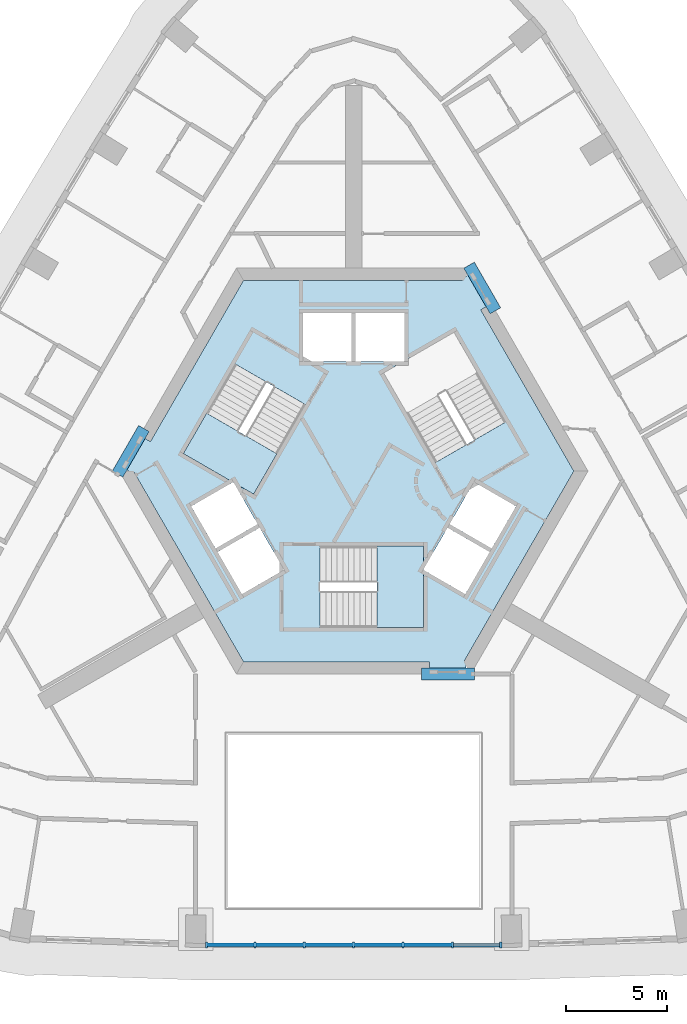
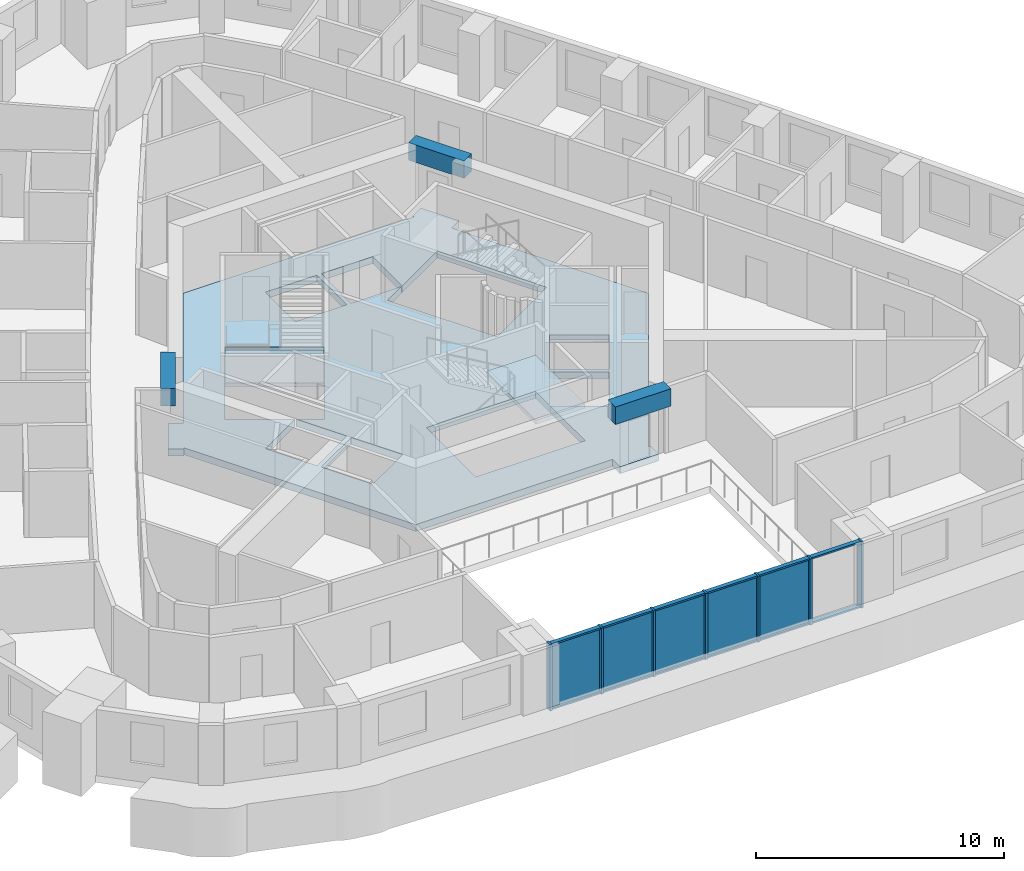
# One storey, part 2 of 13: 19 members, 5 plates, 3 beams, 3 slabs, 3 elements without a shape of their own.
"""IFC4 building model written with IfcOpenShell, lengths in metres."""

import ifcopenshell
import ifcopenshell.guid

model = None  # the IFC model being written
_history = None  # IfcOwnerHistory: only IFC2X3 demands one
_inside = {}  # id of a spatial element -> (the spatial element, [elements in it])
_under = {}  # id of a project, library or spatial element -> (it, [spatial elements below it])
_declared = {}  # id of a project -> (the project, [libraries it declares])
_typed = {}  # id of a type object -> (the type object, [elements of that type])
_made_of = {}  # id of a material, layer set ... -> (it, [elements and type objects made of it])


def new_model(schema):
    """Start an empty IFC model of exactly this schema.

    Asked for "IFC4X3", IfcOpenShell would pick the latest addendum, in which some entities
    have other attributes; the version numbers below select the first issue.
    IFC2X3 requires an IfcOwnerHistory on every rooted entity: one is made here for all.
    """
    global model, _history
    if schema == "IFC4X3":
        model = ifcopenshell.file(schema_version=(4, 3, 0, 0))
    else:
        model = ifcopenshell.file(schema=schema)
    _inside.clear()
    _under.clear()
    _declared.clear()
    _typed.clear()
    _made_of.clear()
    _history = None
    if model.schema == "IFC2X3":
        org = make("IfcOrganization", Name="unknown")
        user = make(
            "IfcPersonAndOrganization",
            ThePerson=make("IfcPerson", FamilyName="unknown"),
            TheOrganization=org,
        )
        app = make(
            "IfcApplication",
            ApplicationDeveloper=org,
            Version="unknown",
            ApplicationFullName="unknown",
            ApplicationIdentifier="unknown",
        )
        _history = make(
            "IfcOwnerHistory",
            OwningUser=user,
            OwningApplication=app,
            ChangeAction="ADDED",
            CreationDate=0,
        )
    return model


def make(cls, **values):
    """One entity of the class cls with the attributes given. An attribute that is None is left unset."""
    return model.create_entity(
        cls, **{name: value for name, value in values.items() if value is not None}
    )


def rooted(cls, **values):
    """An entity with a GlobalId (a new one), such as an element, a storey or a relation."""
    return make(cls, GlobalId=ifcopenshell.guid.new(), OwnerHistory=_history, **values)


def si_unit(unit_type, name, prefix=None):
    """IfcSIUnit, for example si_unit("LENGTHUNIT", "METRE", prefix="MILLI")."""
    return make("IfcSIUnit", UnitType=unit_type, Prefix=prefix, Name=name)


def assignment(units):
    """IfcUnitAssignment: the units of a project."""
    return None if units is None else make("IfcUnitAssignment", Units=units)


def point(xyz):
    """IfcCartesianPoint."""
    return None if xyz is None else make("IfcCartesianPoint", Coordinates=xyz)


def direction(xyz):
    """IfcDirection."""
    return None if xyz is None else make("IfcDirection", DirectionRatios=xyz)


def frame(location, z_axis=None, x_axis=None):
    """IfcAxis2Placement3D, a coordinate frame: its origin and axes. An axis left out is left unset."""
    return make(
        "IfcAxis2Placement3D",
        Location=point(location),
        Axis=direction(z_axis),
        RefDirection=direction(x_axis),
    )


def frame_2d(location, x_axis=None):
    """IfcAxis2Placement2D, a coordinate frame in the plane: its origin and x axis."""
    return make(
        "IfcAxis2Placement2D", Location=point(location), RefDirection=direction(x_axis)
    )


def origin():
    """The frame at (0, 0, 0) with its axes left unset."""
    return frame((0.0, 0.0, 0.0))


def origin_2d():
    """The frame at (0, 0) in the plane with its x axis left unset."""
    return frame_2d((0.0, 0.0))


def place(relative_to, where):
    """IfcLocalPlacement: puts the frame where relative to a parent placement (None: the world)."""
    return make(
        "IfcLocalPlacement", PlacementRelTo=relative_to, RelativePlacement=where
    )


def context(
    kind, dimensions, precision=None, world=None, true_north=None, identifier=None
):
    """IfcGeometricRepresentationContext, for example the 3D "Model" context."""
    return make(
        "IfcGeometricRepresentationContext",
        ContextIdentifier=identifier,
        ContextType=kind,
        CoordinateSpaceDimension=dimensions,
        Precision=precision,
        WorldCoordinateSystem=world,
        TrueNorth=true_north,
    )


def subcontext(parent, identifier, kind, view, scale=None):
    """IfcGeometricRepresentationSubContext, for example "Body" below "Model"."""
    return make(
        "IfcGeometricRepresentationSubContext",
        ContextIdentifier=identifier,
        ContextType=kind,
        ParentContext=parent,
        TargetScale=scale,
        TargetView=view,
    )


def project(units=None, contexts=None):
    """IfcProject with its units and contexts."""
    return rooted(
        "IfcProject",
        Name="project",
        RepresentationContexts=contexts,
        UnitsInContext=assignment(units),
    )


def spatial(cls, under=None, at=None, **own):
    """A site, building, storey or space (cls), placed at a placement, below another one or the project."""
    s = rooted(cls, ObjectPlacement=at, **own)
    if under is not None:
        _under.setdefault(under.id(), (under, []))[1].append(s)
    return s


def polyline(points):
    """IfcPolyline through the points."""
    return make("IfcPolyline", Points=[point(p) for p in points])


def profile(cls, at=None, kind="AREA", **sizes):
    """A parametric profile (cls). Its sizes go by their IFC names, for example OverallWidth=200.0."""
    return make(cls, ProfileType=kind, Position=at, **sizes)


def rectangle(**sizes):
    """IfcRectangleProfileDef."""
    return profile("IfcRectangleProfileDef", **sizes)


def outline(outer, holes=None, kind="AREA"):
    """IfcArbitraryClosedProfileDef: a profile drawn as a closed curve; with holes, ...WithVoids."""
    if holes is None:
        return make("IfcArbitraryClosedProfileDef", ProfileType=kind, OuterCurve=outer)
    return make(
        "IfcArbitraryProfileDefWithVoids",
        ProfileType=kind,
        OuterCurve=outer,
        InnerCurves=holes,
    )


def extrude(swept, where, along, depth):
    """IfcExtrudedAreaSolid: the profile swept, set in the frame where, extruded along a direction by depth."""
    return make(
        "IfcExtrudedAreaSolid",
        SweptArea=swept,
        Position=where,
        ExtrudedDirection=direction(along),
        Depth=depth,
    )


def shape(context_of_items, identifier, shape_type, items):
    """IfcShapeRepresentation: the items that make up one representation, for example the "Body"."""
    return make(
        "IfcShapeRepresentation",
        ContextOfItems=context_of_items,
        RepresentationIdentifier=identifier,
        RepresentationType=shape_type,
        Items=items,
    )


def material(Name=None, Category=None):
    """IfcMaterial."""
    return make("IfcMaterial", Name=Name, Category=Category)


def layer(
    of_material, thickness, ventilated=None, Name=None, Category=None, Priority=None
):
    """IfcMaterialLayer: one layer of a wall or slab, of a material (None: an air gap)."""
    return make(
        "IfcMaterialLayer",
        Material=of_material,
        LayerThickness=thickness,
        IsVentilated=ventilated,
        Name=Name,
        Category=Category,
        Priority=Priority,
    )


def layer_set(layers, Name=None):
    """IfcMaterialLayerSet."""
    return make("IfcMaterialLayerSet", MaterialLayers=layers, LayerSetName=Name)


def material_profile(
    of_material, cross_section, Name=None, Category=None, Priority=None
):
    """IfcMaterialProfile: a cross section and its material."""
    return make(
        "IfcMaterialProfile",
        Name=Name,
        Material=of_material,
        Profile=cross_section,
        Priority=Priority,
        Category=Category,
    )


def profile_set(profiles, Name=None, composite=None):
    """IfcMaterialProfileSet."""
    return make(
        "IfcMaterialProfileSet",
        Name=Name,
        MaterialProfiles=profiles,
        CompositeProfile=composite,
    )


def made_of(thing, what):
    """Note that an element or type object is made of a material, layer set ...; save() writes the relation."""
    if what is not None:
        _made_of.setdefault(what.id(), (what, []))[1].append(thing)
    return thing


def type_object(cls, material=None, **own):
    """A type object (cls), such as IfcWallType, which elements share."""
    return made_of(rooted(cls, **own), material)


def element(
    cls,
    number,
    at=None,
    inside=None,
    cuts=None,
    type_object=None,
    material=None,
    context=None,
    identifier="Body",
    shape_type=None,
    held_by="IfcProductDefinitionShape",
    body=None,
    shapes=None,
    **own,
):
    """One element of the class cls, such as IfcWall. Its Tag is "e" and its number.

    at: its placement. inside: the storey or other place that contains it. cuts: it is an
    opening in that element (IfcRelVoidsElement). A single representation is given by context,
    identifier, shape_type and body (its items); several are given by shapes. held_by: the class
    of the entity that holds the representations. save() writes the other relations.
    """
    e = rooted(cls, Tag="e%d" % number, ObjectPlacement=at, **own)
    if body is not None:
        shapes = [shape(context, identifier, shape_type, body)]
    if shapes is not None:
        e.Representation = make(held_by, Representations=shapes)
    if inside is not None:
        _inside.setdefault(inside.id(), (inside, []))[1].append(e)
    if cuts is not None:
        rooted(
            "IfcRelVoidsElement", RelatingBuildingElement=cuts, RelatedOpeningElement=e
        )
    if type_object is not None:
        _typed.setdefault(type_object.id(), (type_object, []))[1].append(e)
    return made_of(e, material)


def aggregate(whole, parts):
    """IfcRelAggregates: a whole, such as a stair, and the parts it consists of."""
    return rooted("IfcRelAggregates", RelatingObject=whole, RelatedObjects=parts)


def save(model, path):
    """Write the relations noted so far, then the file.

    IfcRelAggregates (storeys below a building ...), IfcRelContainedInSpatialStructure (elements
    in a storey), IfcRelDefinesByType, IfcRelAssociatesMaterial and IfcRelDeclares: one each for
    every whole, place, type object, material and project.
    """
    for whole, parts in _under.values():
        aggregate(whole, parts)
    for where, things in _inside.values():
        rooted(
            "IfcRelContainedInSpatialStructure",
            RelatedElements=things,
            RelatingStructure=where,
        )
    for kind, things in _typed.values():
        rooted("IfcRelDefinesByType", RelatedObjects=things, RelatingType=kind)
    for what, things in _made_of.values():
        rooted("IfcRelAssociatesMaterial", RelatedObjects=things, RelatingMaterial=what)
    for by, libraries in _declared.values():
        rooted("IfcRelDeclares", RelatingContext=by, RelatedDefinitions=libraries)
    model.write(path)


model = new_model("IFC4")

# Units and contexts
model_context = context("Model", 3, precision=1e-05, world=origin(), true_north=direction((0.0, 1.0)))
body_context = subcontext(model_context, "Body", "Model", "MODEL_VIEW")
ifc_project = project(units=[si_unit("LENGTHUNIT", "METRE"), si_unit("AREAUNIT", "SQUARE_METRE"), si_unit("VOLUMEUNIT", "CUBIC_METRE"), si_unit("PLANEANGLEUNIT", "RADIAN"), si_unit("MASSUNIT", "GRAM", prefix="KILO")], contexts=[model_context])

# Site, building, storey
site_placement = place(None, origin())
site = spatial("IfcSite", under=ifc_project, at=site_placement, CompositionType="ELEMENT")
building_placement = place(site_placement, origin())
building = spatial("IfcBuilding", under=site, at=building_placement, Name="Entoto Arch Interchange Tower", CompositionType="ELEMENT")
storey_placement = place(building_placement, frame((0.0, 0.0, 266.60009765625)))
storey = spatial("IfcBuildingStorey", under=building, at=storey_placement, Name="L61", CompositionType="ELEMENT", Elevation=266.60009765625)

# Beams
ifc_material_1 = material(Name="Concrete C40/50", Category="concrete")
ifc_material_profile_1 = material_profile(ifc_material_1, rectangle(XDim=0.60009765625, YDim=0.860107421875, at=origin_2d()))
ifc_profile_set_1 = profile_set([ifc_material_profile_1], Name="Concrete C40/50")
beam_type = type_object("IfcBeamType", Name="Coupling beam RC 600x860 C40/50", PredefinedType="BEAM", material=ifc_profile_set_1)
beam_1_placement = place(storey_placement, frame((6.986083984375, 10.40087890625, 2.829833984375), z_axis=(-0.500379508478, 0.865806183562, 0.0), x_axis=(-0.865806183562, -0.500379508478, 0.0)))
element("IfcBeam", 1, at=beam_1_placement, inside=storey, type_object=beam_type, Name="Coupling beam NE L61", PredefinedType="BEAM", context=body_context, shape_type="SweptSolid", body=[
    extrude(rectangle(XDim=0.60009765625, YDim=0.860107421875, at=origin_2d()), origin(), (0.0, 0.0, 1.0), 2.59423828125),
])
beam_2_placement = place(storey_placement, frame((-10.3359375, 4.59912109375, 2.829833984375), z_axis=(-0.499814819145, -0.866132291606, 0.0), x_axis=(0.866132291606, -0.499814819145, 0.0)))
element("IfcBeam", 2, at=beam_2_placement, inside=storey, type_object=beam_type, Name="Coupling beam NW L61", PredefinedType="BEAM", context=body_context, shape_type="SweptSolid", body=[
    extrude(rectangle(XDim=0.60009765625, YDim=0.860107421875, at=origin_2d()), origin(), (0.0, 0.0, 1.0), 2.59326171875),
])
beam_3_placement = place(storey_placement, frame((3.35009765625, -7.5, 2.829833984375), z_axis=(1.0, 0.0, 0.0), x_axis=(0.0, 1.0, 0.0)))
element("IfcBeam", 3, at=beam_3_placement, inside=storey, type_object=beam_type, Name="Coupling beam S L61", PredefinedType="BEAM", context=body_context, shape_type="SweptSolid", body=[
    extrude(rectangle(XDim=0.60009765625, YDim=0.860107421875, at=origin_2d()), origin(), (0.0, 0.0, 1.0), 2.593994140625),
])

# Curtain wall, members
ifc_material_2 = material(Name="Aluminium, anodised", Category="aluminium")
curtain_wall_type = type_object("IfcCurtainWallType", Name="CURTAIN WALL ATRIUM", PredefinedType="NOTDEFINED", material=ifc_material_2)
curtain_wall_placement = place(storey_placement, origin())
curtain_wall = element("IfcCurtainWall", 4, at=curtain_wall_placement, inside=storey, type_object=curtain_wall_type, Name="Atrium glazing S-02 L61", PredefinedType="NOTDEFINED")
ifc_material_profile_2 = material_profile(ifc_material_2, rectangle(XDim=0.300048828125, YDim=0.10009765625, at=origin_2d()))
ifc_profile_set_2 = profile_set([ifc_material_profile_2], Name="Aluminium, anodised")
member_type_1 = type_object("IfcMemberType", Name="MULLION ATRIUM 100x300", PredefinedType="MULLION", material=ifc_profile_set_2)
member_1_placement = place(storey_placement, frame((-7.2490234375, -20.843994140625, 0.0), z_axis=(0.0, 0.0, 1.0), x_axis=(0.0, 1.0, 0.0)))
member_1 = element("IfcMember", 5, at=member_1_placement, type_object=member_type_1, Name="CWA mullion 1", PredefinedType="MULLION", context=body_context, shape_type="SweptSolid", body=[
    extrude(rectangle(XDim=0.300048828125, YDim=0.10009765625, at=origin_2d()), origin(), (0.0, 0.0, 1.0), 3.260009765625),
])
member_2_placement = place(storey_placement, frame((-4.865966796875, -20.843994140625, 0.0), z_axis=(0.0, 0.0, 1.0), x_axis=(0.0, 1.0, 0.0)))
member_2 = element("IfcMember", 6, at=member_2_placement, type_object=member_type_1, Name="CWA mullion 2", PredefinedType="MULLION", context=body_context, shape_type="SweptSolid", body=[
    extrude(rectangle(XDim=0.300048828125, YDim=0.10009765625, at=origin_2d()), origin(), (0.0, 0.0, 1.0), 3.260009765625),
])
member_3_placement = place(storey_placement, frame((-2.43310546875, -20.843994140625, 0.0), z_axis=(0.0, 0.0, 1.0), x_axis=(0.0, 1.0, 0.0)))
member_3 = element("IfcMember", 7, at=member_3_placement, type_object=member_type_1, Name="CWA mullion 3", PredefinedType="MULLION", context=body_context, shape_type="SweptSolid", body=[
    extrude(rectangle(XDim=0.300048828125, YDim=0.10009765625, at=origin_2d()), origin(), (0.0, 0.0, 1.0), 3.260009765625),
])
member_4_placement = place(storey_placement, frame((0.0, -20.843994140625, 0.0), z_axis=(0.0, 0.0, 1.0), x_axis=(0.0, 1.0, 0.0)))
member_4 = element("IfcMember", 8, at=member_4_placement, type_object=member_type_1, Name="CWA mullion 4", PredefinedType="MULLION", context=body_context, shape_type="SweptSolid", body=[
    extrude(rectangle(XDim=0.300048828125, YDim=0.10009765625, at=origin_2d()), origin(), (0.0, 0.0, 1.0), 3.260009765625),
])
member_5_placement = place(storey_placement, frame((2.43310546875, -20.843994140625, 0.0), z_axis=(0.0, 0.0, 1.0), x_axis=(0.0, 1.0, 0.0)))
member_5 = element("IfcMember", 9, at=member_5_placement, type_object=member_type_1, Name="CWA mullion 5", PredefinedType="MULLION", context=body_context, shape_type="SweptSolid", body=[
    extrude(rectangle(XDim=0.300048828125, YDim=0.10009765625, at=origin_2d()), origin(), (0.0, 0.0, 1.0), 3.260009765625),
])
member_6_placement = place(storey_placement, frame((4.865966796875, -20.843994140625, 0.0), z_axis=(0.0, 0.0, 1.0), x_axis=(0.0, 1.0, 0.0)))
member_6 = element("IfcMember", 10, at=member_6_placement, type_object=member_type_1, Name="CWA mullion 6", PredefinedType="MULLION", context=body_context, shape_type="SweptSolid", body=[
    extrude(rectangle(XDim=0.300048828125, YDim=0.10009765625, at=origin_2d()), origin(), (0.0, 0.0, 1.0), 3.260009765625),
])
member_7_placement = place(storey_placement, frame((7.2490234375, -20.843994140625, 0.0), z_axis=(0.0, 0.0, 1.0), x_axis=(0.0, 1.0, 0.0)))
member_7 = element("IfcMember", 11, at=member_7_placement, type_object=member_type_1, Name="CWA mullion 7", PredefinedType="MULLION", context=body_context, shape_type="SweptSolid", body=[
    extrude(rectangle(XDim=0.300048828125, YDim=0.10009765625, at=origin_2d()), origin(), (0.0, 0.0, 1.0), 3.260009765625),
])
ifc_material_profile_3 = material_profile(ifc_material_2, rectangle(XDim=0.199951171875, YDim=0.080078125, at=origin_2d()))
ifc_profile_set_3 = profile_set([ifc_material_profile_3], Name="Aluminium, anodised")
member_type_2 = type_object("IfcMemberType", Name="TRANSOM ATRIUM 80x200", PredefinedType="USERDEFINED", material=ifc_profile_set_3)
member_8_placement = place(storey_placement, frame((-7.198974609375, -20.843994140625, 0.039794921875), z_axis=(1.0, 0.0, 0.0), x_axis=(0.0, 1.0, 0.0)))
member_8 = element("IfcMember", 12, at=member_8_placement, type_object=member_type_2, Name="CWA transom 1.1", ObjectType="TRANSOM", PredefinedType="USERDEFINED", context=body_context, shape_type="SweptSolid", body=[
    extrude(rectangle(XDim=0.199951171875, YDim=0.080078125, at=origin_2d()), origin(), (0.0, 0.0, 1.0), 2.282958984375),
])
member_9_placement = place(storey_placement, frame((-7.198974609375, -20.843994140625, 3.219970703125), z_axis=(1.0, 0.0, 0.0), x_axis=(0.0, 1.0, 0.0)))
member_9 = element("IfcMember", 13, at=member_9_placement, type_object=member_type_2, Name="CWA transom 1.2", ObjectType="TRANSOM", PredefinedType="USERDEFINED", context=body_context, shape_type="SweptSolid", body=[
    extrude(rectangle(XDim=0.199951171875, YDim=0.080078125, at=origin_2d()), origin(), (0.0, 0.0, 1.0), 2.282958984375),
])
member_10_placement = place(storey_placement, frame((-4.81591796875, -20.843994140625, 0.039794921875), z_axis=(1.0, 0.0, 0.0), x_axis=(0.0, 1.0, 0.0)))
member_10 = element("IfcMember", 14, at=member_10_placement, type_object=member_type_2, Name="CWA transom 2.1", ObjectType="TRANSOM", PredefinedType="USERDEFINED", context=body_context, shape_type="SweptSolid", body=[
    extrude(rectangle(XDim=0.199951171875, YDim=0.080078125, at=origin_2d()), origin(), (0.0, 0.0, 1.0), 2.3330078125),
])
member_11_placement = place(storey_placement, frame((-4.81591796875, -20.843994140625, 3.219970703125), z_axis=(1.0, 0.0, 0.0), x_axis=(0.0, 1.0, 0.0)))
member_11 = element("IfcMember", 15, at=member_11_placement, type_object=member_type_2, Name="CWA transom 2.2", ObjectType="TRANSOM", PredefinedType="USERDEFINED", context=body_context, shape_type="SweptSolid", body=[
    extrude(rectangle(XDim=0.199951171875, YDim=0.080078125, at=origin_2d()), origin(), (0.0, 0.0, 1.0), 2.3330078125),
])
member_12_placement = place(storey_placement, frame((-2.383056640625, -20.843994140625, 0.039794921875), z_axis=(1.0, 0.0, 0.0), x_axis=(0.0, 1.0, 0.0)))
member_12 = element("IfcMember", 16, at=member_12_placement, type_object=member_type_2, Name="CWA transom 3.1", ObjectType="TRANSOM", PredefinedType="USERDEFINED", context=body_context, shape_type="SweptSolid", body=[
    extrude(rectangle(XDim=0.199951171875, YDim=0.080078125, at=origin_2d()), origin(), (0.0, 0.0, 1.0), 2.3330078125),
])
member_13_placement = place(storey_placement, frame((-2.383056640625, -20.843994140625, 3.219970703125), z_axis=(1.0, 0.0, 0.0), x_axis=(0.0, 1.0, 0.0)))
member_13 = element("IfcMember", 17, at=member_13_placement, type_object=member_type_2, Name="CWA transom 3.2", ObjectType="TRANSOM", PredefinedType="USERDEFINED", context=body_context, shape_type="SweptSolid", body=[
    extrude(rectangle(XDim=0.199951171875, YDim=0.080078125, at=origin_2d()), origin(), (0.0, 0.0, 1.0), 2.3330078125),
])
member_14_placement = place(storey_placement, frame((0.050048828125, -20.843994140625, 0.039794921875), z_axis=(1.0, 0.0, 0.0), x_axis=(0.0, 1.0, 0.0)))
member_14 = element("IfcMember", 18, at=member_14_placement, type_object=member_type_2, Name="CWA transom 4.1", ObjectType="TRANSOM", PredefinedType="USERDEFINED", context=body_context, shape_type="SweptSolid", body=[
    extrude(rectangle(XDim=0.199951171875, YDim=0.080078125, at=origin_2d()), origin(), (0.0, 0.0, 1.0), 2.3330078125),
])
member_15_placement = place(storey_placement, frame((0.050048828125, -20.843994140625, 3.219970703125), z_axis=(1.0, 0.0, 0.0), x_axis=(0.0, 1.0, 0.0)))
member_15 = element("IfcMember", 19, at=member_15_placement, type_object=member_type_2, Name="CWA transom 4.2", ObjectType="TRANSOM", PredefinedType="USERDEFINED", context=body_context, shape_type="SweptSolid", body=[
    extrude(rectangle(XDim=0.199951171875, YDim=0.080078125, at=origin_2d()), origin(), (0.0, 0.0, 1.0), 2.3330078125),
])
member_16_placement = place(storey_placement, frame((2.48291015625, -20.843994140625, 0.039794921875), z_axis=(1.0, 0.0, 0.0), x_axis=(0.0, 1.0, 0.0)))
member_16 = element("IfcMember", 20, at=member_16_placement, type_object=member_type_2, Name="CWA transom 5.1", ObjectType="TRANSOM", PredefinedType="USERDEFINED", context=body_context, shape_type="SweptSolid", body=[
    extrude(rectangle(XDim=0.199951171875, YDim=0.080078125, at=origin_2d()), origin(), (0.0, 0.0, 1.0), 2.3330078125),
])
member_17_placement = place(storey_placement, frame((2.48291015625, -20.843994140625, 3.219970703125), z_axis=(1.0, 0.0, 0.0), x_axis=(0.0, 1.0, 0.0)))
member_17 = element("IfcMember", 21, at=member_17_placement, type_object=member_type_2, Name="CWA transom 5.2", ObjectType="TRANSOM", PredefinedType="USERDEFINED", context=body_context, shape_type="SweptSolid", body=[
    extrude(rectangle(XDim=0.199951171875, YDim=0.080078125, at=origin_2d()), origin(), (0.0, 0.0, 1.0), 2.3330078125),
])
member_18_placement = place(storey_placement, frame((4.916015625, -20.843994140625, 0.039794921875), z_axis=(1.0, 0.0, 0.0), x_axis=(0.0, 1.0, 0.0)))
member_18 = element("IfcMember", 22, at=member_18_placement, type_object=member_type_2, Name="CWA transom 6.1", ObjectType="TRANSOM", PredefinedType="USERDEFINED", context=body_context, shape_type="SweptSolid", body=[
    extrude(rectangle(XDim=0.199951171875, YDim=0.080078125, at=origin_2d()), origin(), (0.0, 0.0, 1.0), 2.282958984375),
])
member_19_placement = place(storey_placement, frame((4.916015625, -20.843994140625, 3.219970703125), z_axis=(1.0, 0.0, 0.0), x_axis=(0.0, 1.0, 0.0)))
member_19 = element("IfcMember", 23, at=member_19_placement, type_object=member_type_2, Name="CWA transom 6.2", ObjectType="TRANSOM", PredefinedType="USERDEFINED", context=body_context, shape_type="SweptSolid", body=[
    extrude(rectangle(XDim=0.199951171875, YDim=0.080078125, at=origin_2d()), origin(), (0.0, 0.0, 1.0), 2.282958984375),
])

# Slab
ifc_layer_1 = layer(ifc_material_1, 0.340087890625)
ifc_layer_set_1 = layer_set([ifc_layer_1], Name="Concrete C40/50")
slab_type_1 = type_object("IfcSlabType", Name="Core floor slab 340 C40/50", PredefinedType="FLOOR", material=ifc_layer_set_1)
slab_1_placement = place(storey_placement, frame((0.0, 0.0, -0.340087890625)))
element("IfcSlab", 24, at=slab_1_placement, inside=storey, type_object=slab_type_1, Name="Core floor slab L61", PredefinedType="FLOOR", context=body_context, shape_type="SweptSolid", body=[
    extrude(outline(polyline([(-10.824951171875, 2.450927734375), (-10.8701171875, 2.3740234375), (-11.431884765625, 2.698974609375), (-10.535888671875, 4.2529296875), (-10.014892578125, 3.952880859375), (-5.427001953125, 11.89990234375), (5.368896484375, 11.89990234375), (5.325927734375, 11.97607421875), (5.887939453125, 12.301025390625), (6.784912109375, 10.7470703125), (6.26611328125, 10.447021484375), (10.85400390625, 2.5), (5.4560546875, -6.85009765625), (5.5439453125, -6.85009765625), (5.5439453125, -7.5), (3.75, -7.5), (3.75, -6.89990234375), (-5.427001953125, -6.89990234375), (-10.824951171875, 2.450927734375)]), holes=[polyline([(-1.64990234375, -5.199951171875), (3.449951171875, -5.199951171875), (3.449951171875, -2.3779296875), (5.5048828125, -3.56494140625), (6.705078125, -1.487060546875), (4.626953125, -0.287109375), (3.449951171875, -2.324951171875), (3.449951171875, -1.199951171875), (-1.64990234375, -1.199951171875), (-1.64990234375, -5.199951171875)]), polyline([(-4.626953125, -0.287109375), (-6.705078125, -1.487060546875), (-5.5048828125, -3.56494140625), (-3.427001953125, -2.364990234375), (-4.626953125, -0.287109375)]), polyline([(-5.904052734375, 1.925048828125), (-4.928955078125, 1.362060546875), (-2.37890625, 5.779052734375), (-5.843017578125, 7.779052734375), (-8.39306640625, 3.362060546875), (-5.949951171875, 1.951904296875), (-8.0048828125, 0.764892578125), (-6.804931640625, -1.31298828125), (-4.72705078125, -0.113037109375), (-5.904052734375, 1.925048828125)]), polyline([(4.72705078125, -0.113037109375), (6.804931640625, -1.31298828125), (8.0048828125, 0.764892578125), (5.927001953125, 1.965087890625), (4.72705078125, -0.113037109375)]), polyline([(2.5, 7.927001953125), (2.5, 10.300048828125), (0.10009765625, 10.300048828125), (0.10009765625, 7.89990234375), (2.452880859375, 7.89990234375), (1.47900390625, 7.337890625), (4.029052734375, 2.9208984375), (7.492919921875, 4.9208984375), (4.943115234375, 9.337890625), (2.5, 7.927001953125)]), polyline([(-2.5, 7.89990234375), (-0.10009765625, 7.89990234375), (-0.10009765625, 10.300048828125), (-2.5, 10.300048828125), (-2.5, 7.89990234375)])]), origin(), (0.0, 0.0, 1.0), 0.340087890625),
])

# Stair, slab
stair_type = type_object("IfcStairType", Name="EXIT STAIR RC 1800", PredefinedType="HALF_TURN_STAIR", material=ifc_material_1)
stair_1_placement = place(storey_placement, origin())
stair_1 = element("IfcStair", 25, at=stair_1_placement, inside=storey, type_object=stair_type, Name="L61 Exit stair S", PredefinedType="HALF_TURN_STAIR")
ifc_layer_2 = layer(ifc_material_1, 0.199951171875)
ifc_layer_set_2 = layer_set([ifc_layer_2], Name="Concrete C40/50")
slab_type_2 = type_object("IfcSlabType", Name="EXIT STAIR LANDING RC 200", PredefinedType="LANDING", material=ifc_layer_set_2)
slab_2_placement = place(storey_placement, frame((0.0, 0.0, 1.599853515625)))
slab_2 = element("IfcSlab", 26, at=slab_2_placement, type_object=slab_type_2, Name="ST-S landing 1", PredefinedType="LANDING", context=body_context, shape_type="SweptSolid", body=[
    extrude(outline(polyline([(1.14990234375, -5.199951171875), (3.449951171875, -5.199951171875), (3.449951171875, -1.199951171875), (1.14990234375, -1.199951171875), (1.14990234375, -5.199951171875)])), origin(), (0.0, 0.0, 1.0), 0.199951171875),
])
aggregate(stair_1, [slab_2])

stair_2_placement = place(storey_placement, origin())
stair_2 = element("IfcStair", 27, at=stair_2_placement, inside=storey, type_object=stair_type, Name="L61 Exit stair NW", PredefinedType="HALF_TURN_STAIR")
slab_3_placement = place(storey_placement, frame((0.0, 0.0, 1.599853515625)))
slab_3 = element("IfcSlab", 28, at=slab_3_placement, type_object=slab_type_2, Name="ST-NW landing 1", PredefinedType="LANDING", context=body_context, shape_type="SweptSolid", body=[
    extrude(outline(polyline([(-7.243408203125, 5.35400390625), (-8.393310546875, 3.3623046875), (-4.92919921875, 1.3623046875), (-3.779296875, 3.35400390625), (-7.243408203125, 5.35400390625)])), origin(), (0.0, 0.0, 1.0), 0.199951171875),
])
aggregate(stair_2, [slab_3])

# Plate
ifc_material_3 = material(Name="Clear glass, low-e double glazed", Category="glass")
ifc_layer_3 = layer(ifc_material_3, 0.031982421875)
ifc_layer_set_3 = layer_set([ifc_layer_3], Name="Clear glass, low-e double glazed")
plate_type = type_object("IfcPlateType", Name="GLAZING PANEL ATRIUM 32", PredefinedType="CURTAIN_PANEL", material=ifc_layer_set_3)
plate_1_placement = place(storey_placement, frame((-6.0576171875, -20.843994140625, 0.079833984375), z_axis=(0.0, 0.0, 1.0), x_axis=(1.0, 0.0, 0.0)))
plate_1 = element("IfcPlate", 29, at=plate_1_placement, type_object=plate_type, Name="CWA panel 1.1", PredefinedType="CURTAIN_PANEL", context=body_context, shape_type="SweptSolid", body=[
    extrude(rectangle(XDim=2.282958984375, YDim=0.031982421875, at=origin_2d()), origin(), (0.0, 0.0, 1.0), 3.10009765625),
])

plate_2_placement = place(storey_placement, frame((-3.6494140625, -20.843994140625, 0.079833984375), z_axis=(0.0, 0.0, 1.0), x_axis=(1.0, 0.0, 0.0)))
plate_2 = element("IfcPlate", 30, at=plate_2_placement, type_object=plate_type, Name="CWA panel 2.1", PredefinedType="CURTAIN_PANEL", context=body_context, shape_type="SweptSolid", body=[
    extrude(rectangle(XDim=2.3330078125, YDim=0.031982421875, at=origin_2d()), origin(), (0.0, 0.0, 1.0), 3.10009765625),
])

plate_3_placement = place(storey_placement, frame((-1.216552734375, -20.843994140625, 0.079833984375), z_axis=(0.0, 0.0, 1.0), x_axis=(1.0, 0.0, 0.0)))
plate_3 = element("IfcPlate", 31, at=plate_3_placement, type_object=plate_type, Name="CWA panel 3.1", PredefinedType="CURTAIN_PANEL", context=body_context, shape_type="SweptSolid", body=[
    extrude(rectangle(XDim=2.3330078125, YDim=0.031982421875, at=origin_2d()), origin(), (0.0, 0.0, 1.0), 3.10009765625),
])

plate_4_placement = place(storey_placement, frame((1.216552734375, -20.843994140625, 0.079833984375), z_axis=(0.0, 0.0, 1.0), x_axis=(1.0, 0.0, 0.0)))
plate_4 = element("IfcPlate", 32, at=plate_4_placement, type_object=plate_type, Name="CWA panel 4.1", PredefinedType="CURTAIN_PANEL", context=body_context, shape_type="SweptSolid", body=[
    extrude(rectangle(XDim=2.3330078125, YDim=0.031982421875, at=origin_2d()), origin(), (0.0, 0.0, 1.0), 3.10009765625),
])

plate_5_placement = place(storey_placement, frame((3.6494140625, -20.843994140625, 0.079833984375), z_axis=(0.0, 0.0, 1.0), x_axis=(1.0, 0.0, 0.0)))
plate_5 = element("IfcPlate", 33, at=plate_5_placement, type_object=plate_type, Name="CWA panel 5.1", PredefinedType="CURTAIN_PANEL", context=body_context, shape_type="SweptSolid", body=[
    extrude(rectangle(XDim=2.3330078125, YDim=0.031982421875, at=origin_2d()), origin(), (0.0, 0.0, 1.0), 3.10009765625),
])

aggregate(curtain_wall, [member_1, member_2, member_3, member_4, member_5, member_6, member_7, member_8, member_9, plate_1, member_10, member_11, plate_2, member_12, member_13, plate_3, member_14, member_15, plate_4, member_16, member_17, plate_5, member_18, member_19])

save(model, "model.ifc")
